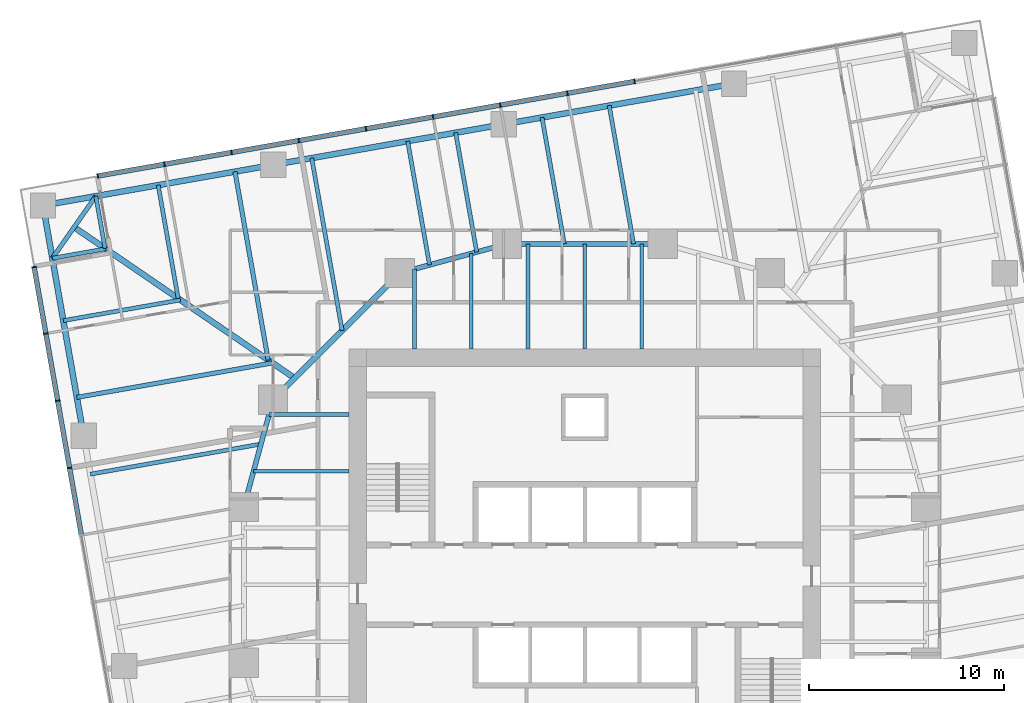
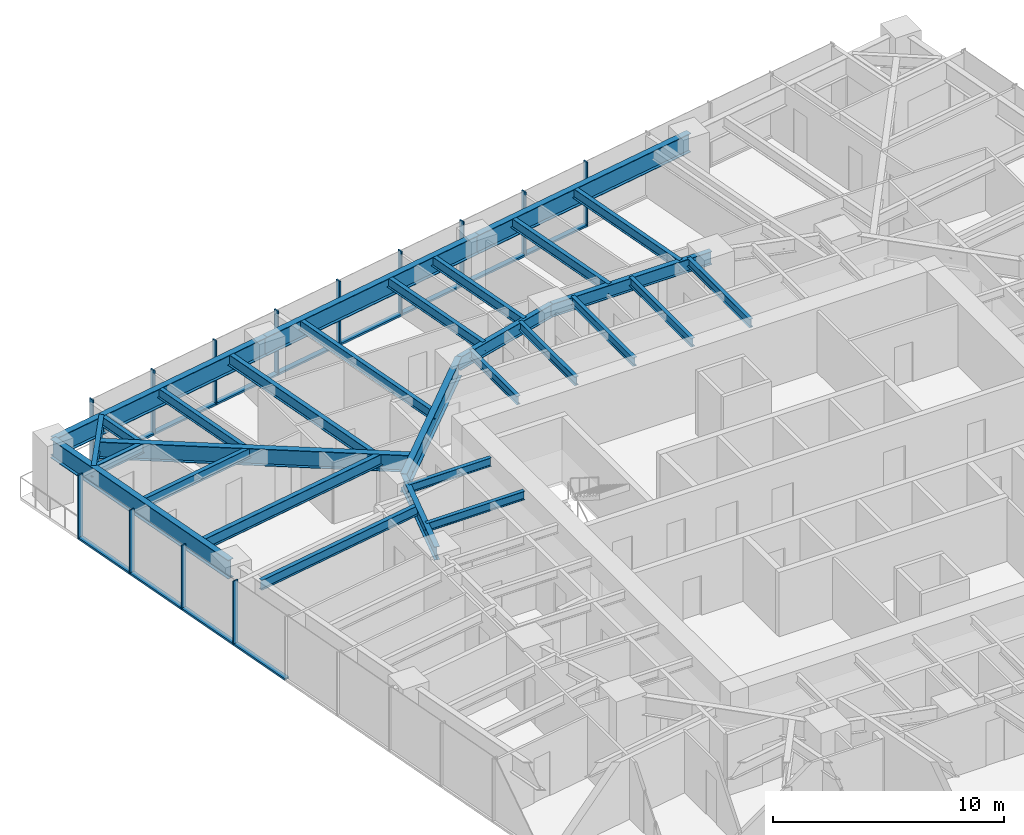
# One storey, part 5 of 14: 29 beams, 25 members, 2 elements without a shape of their own.
"""IFC4 building model written with IfcOpenShell, lengths in metres."""

from ifc_helpers import new_model, si_unit, direction, frame, origin, origin_2d, place, context, subcontext, project, spatial, rectangle, i_section, extrude, material, material_profile, profile_set, type_object, element, aggregate, save


model = new_model("IFC4")

# Units and contexts
model_context = context("Model", 3, precision=1e-05, world=origin(), true_north=direction((0.0, 1.0)))
body_context = subcontext(model_context, "Body", "Model", "MODEL_VIEW")
ifc_project = project(units=[si_unit("LENGTHUNIT", "METRE"), si_unit("AREAUNIT", "SQUARE_METRE"), si_unit("VOLUMEUNIT", "CUBIC_METRE"), si_unit("PLANEANGLEUNIT", "RADIAN"), si_unit("MASSUNIT", "GRAM", prefix="KILO")], contexts=[model_context])

# Site, building, storey
site_placement = place(None, origin())
site = spatial("IfcSite", under=ifc_project, at=site_placement, CompositionType="ELEMENT")
building_placement = place(site_placement, origin())
building = spatial("IfcBuilding", under=site, at=building_placement, Name="Torsade Residences", CompositionType="ELEMENT")
storey_placement = place(building_placement, frame((0.0, 0.0, 99.800048828125)))
storey = spatial("IfcBuildingStorey", under=building, at=storey_placement, Name="L27", CompositionType="ELEMENT", Elevation=99.800048828125)

# Beams
ifc_material_1 = material(Name="Steel grade 300", Category="steel")
ifc_material_profile_1 = material_profile(ifc_material_1, i_section(OverallWidth=0.300048828125, OverallDepth=0.89990234375, WebThickness=0.011962890625, FlangeThickness=0.02490234375, at=origin_2d()), Name="900WB175")
ifc_profile_set_1 = profile_set([ifc_material_profile_1], Name="Steel grade 300")
beam_type_1 = type_object("IfcBeamType", Name="CORNER GIRDER 900WB175", PredefinedType="BEAM", material=ifc_profile_set_1)
beam_1_placement = place(storey_placement, frame((13.7900390625, 48.3525390625, 2.800048828125), z_axis=(0.825279313977, -0.564724759437, 0.0), x_axis=(0.564724759437, 0.825279313977, 0.0)))
element("IfcBeam", 1, at=beam_1_placement, inside=storey, type_object=beam_type_1, Name="Corner girder 13 L28", PredefinedType="BEAM", context=body_context, shape_type="SweptSolid", body=[
    extrude(i_section(OverallWidth=0.300048828125, OverallDepth=0.89990234375, WebThickness=0.011962890625, FlangeThickness=0.02490234375, at=origin_2d()), origin(), (0.0, 0.0, 1.0), 13.7138671875),
])
ifc_material_2 = material(Name="Steel grade 300", Category="steel")
ifc_material_profile_2 = material_profile(ifc_material_2, i_section(OverallWidth=0.22802734375, OverallDepth=0.60205078125, WebThickness=0.010498046875, FlangeThickness=0.014892578125, FilletRadius=0.013916015625, at=origin_2d()), Name="610UB101")
ifc_profile_set_2 = profile_set([ifc_material_profile_2], Name="Steel grade 300")
beam_type_2 = type_object("IfcBeamType", Name="CORNER TRIMMER 610UB101", PredefinedType="BEAM", material=ifc_profile_set_2)
beam_2_placement = place(storey_placement, frame((12.674560546875, 46.759521484375, 2.948974609375), z_axis=(0.573576092373, 0.819152285145, 0.0), x_axis=(-0.819152285145, 0.573576092373, 0.0)))
element("IfcBeam", 2, at=beam_2_placement, inside=storey, type_object=beam_type_2, Name="Corner trimmer 13 L28", PredefinedType="BEAM", context=body_context, shape_type="SweptSolid", body=[
    extrude(i_section(OverallWidth=0.22802734375, OverallDepth=0.60205078125, WebThickness=0.010498046875, FlangeThickness=0.014892578125, FilletRadius=0.013916015625, at=origin_2d()), origin(), (0.0, 0.0, 1.0), 3.88916015625),
])

# Curtain wall, members
ifc_material_3 = material(Name="Aluminium and glass", Category="aluminium")
curtain_wall_type = type_object("IfcCurtainWallType", Name="FRITTED GLASS CURTAIN WALL LOW ZONE", PredefinedType="NOTDEFINED", material=ifc_material_3)
curtain_wall_1_placement = place(storey_placement, origin())
curtain_wall_1 = element("IfcCurtainWall", 3, at=curtain_wall_1_placement, inside=storey, type_object=curtain_wall_type, Name="Curtain wall L27 face 7", PredefinedType="NOTDEFINED")
ifc_material_4 = material(Name="Aluminium mullion", Category="aluminium")
ifc_material_profile_3 = material_profile(ifc_material_4, rectangle(XDim=0.25, YDim=0.06494140625, at=origin_2d()), Name="CURTAIN WALL MULLION 250x65")
ifc_profile_set_3 = profile_set([ifc_material_profile_3], Name="Aluminium mullion")
member_type_1 = type_object("IfcMemberType", Name="CURTAIN WALL MULLION 250x65", PredefinedType="MULLION", material=ifc_profile_set_3)
member_1_placement = place(storey_placement, frame((42.552490234375, 55.835693359375, 0.0), z_axis=(0.0, 0.0, 1.0), x_axis=(0.173648192638, -0.984807750372, 0.0)))
member_1 = element("IfcMember", 4, at=member_1_placement, type_object=member_type_1, Name="Mullion 5", PredefinedType="MULLION", context=body_context, shape_type="SweptSolid", body=[
    extrude(rectangle(XDim=0.25, YDim=0.06494140625, at=origin_2d()), origin(), (0.0, 0.0, 1.0), 3.39990234375),
])
member_2_placement = place(storey_placement, frame((39.105712890625, 55.22802734375, 0.0), z_axis=(0.0, 0.0, 1.0), x_axis=(0.173648192638, -0.984807750372, 0.0)))
member_2 = element("IfcMember", 5, at=member_2_placement, type_object=member_type_1, Name="Mullion 6", PredefinedType="MULLION", context=body_context, shape_type="SweptSolid", body=[
    extrude(rectangle(XDim=0.25, YDim=0.06494140625, at=origin_2d()), origin(), (0.0, 0.0, 1.0), 3.39990234375),
])
member_3_placement = place(storey_placement, frame((35.65869140625, 54.6201171875, 0.0), z_axis=(0.0, 0.0, 1.0), x_axis=(0.173648192638, -0.984807750372, 0.0)))
member_3 = element("IfcMember", 6, at=member_3_placement, type_object=member_type_1, Name="Mullion 7", PredefinedType="MULLION", context=body_context, shape_type="SweptSolid", body=[
    extrude(rectangle(XDim=0.25, YDim=0.06494140625, at=origin_2d()), origin(), (0.0, 0.0, 1.0), 3.39990234375),
])
member_4_placement = place(storey_placement, frame((32.2119140625, 54.012451171875, 0.0), z_axis=(0.0, 0.0, 1.0), x_axis=(0.173648192638, -0.984807750372, 0.0)))
member_4 = element("IfcMember", 7, at=member_4_placement, type_object=member_type_1, Name="Mullion 8", PredefinedType="MULLION", context=body_context, shape_type="SweptSolid", body=[
    extrude(rectangle(XDim=0.25, YDim=0.06494140625, at=origin_2d()), origin(), (0.0, 0.0, 1.0), 3.39990234375),
])
member_5_placement = place(storey_placement, frame((28.76513671875, 53.404541015625, 0.0), z_axis=(0.0, 0.0, 1.0), x_axis=(0.173648192638, -0.984807750372, 0.0)))
member_5 = element("IfcMember", 8, at=member_5_placement, type_object=member_type_1, Name="Mullion 9", PredefinedType="MULLION", context=body_context, shape_type="SweptSolid", body=[
    extrude(rectangle(XDim=0.25, YDim=0.06494140625, at=origin_2d()), origin(), (0.0, 0.0, 1.0), 3.39990234375),
])
member_6_placement = place(storey_placement, frame((25.318359375, 52.796875, 0.0), z_axis=(0.0, 0.0, 1.0), x_axis=(0.173648192638, -0.984807750372, 0.0)))
member_6 = element("IfcMember", 9, at=member_6_placement, type_object=member_type_1, Name="Mullion 10", PredefinedType="MULLION", context=body_context, shape_type="SweptSolid", body=[
    extrude(rectangle(XDim=0.25, YDim=0.06494140625, at=origin_2d()), origin(), (0.0, 0.0, 1.0), 3.39990234375),
])
member_7_placement = place(storey_placement, frame((21.87158203125, 52.189208984375, 0.0), z_axis=(0.0, 0.0, 1.0), x_axis=(0.173648192638, -0.984807750372, 0.0)))
member_7 = element("IfcMember", 10, at=member_7_placement, type_object=member_type_1, Name="Mullion 11", PredefinedType="MULLION", context=body_context, shape_type="SweptSolid", body=[
    extrude(rectangle(XDim=0.25, YDim=0.06494140625, at=origin_2d()), origin(), (0.0, 0.0, 1.0), 3.39990234375),
])
member_8_placement = place(storey_placement, frame((18.424560546875, 51.581298828125, 0.0), z_axis=(0.0, 0.0, 1.0), x_axis=(0.173648192638, -0.984807750372, 0.0)))
member_8 = element("IfcMember", 11, at=member_8_placement, type_object=member_type_1, Name="Mullion 12", PredefinedType="MULLION", context=body_context, shape_type="SweptSolid", body=[
    extrude(rectangle(XDim=0.25, YDim=0.06494140625, at=origin_2d()), origin(), (0.0, 0.0, 1.0), 3.39990234375),
])
member_9_placement = place(storey_placement, frame((15.009765625, 50.979248046875, 0.0), z_axis=(0.0, 0.0, 1.0), x_axis=(0.173648192638, -0.984807750372, 0.0)))
member_9 = element("IfcMember", 12, at=member_9_placement, type_object=member_type_1, Name="Mullion 13", PredefinedType="MULLION", context=body_context, shape_type="SweptSolid", body=[
    extrude(rectangle(XDim=0.25, YDim=0.06494140625, at=origin_2d()), origin(), (0.0, 0.0, 1.0), 3.39990234375),
])

curtain_wall_2_placement = place(storey_placement, origin())
curtain_wall_2 = element("IfcCurtainWall", 13, at=curtain_wall_2_placement, inside=storey, type_object=curtain_wall_type, Name="Curtain wall L27 face 10", PredefinedType="NOTDEFINED")
member_10_placement = place(storey_placement, frame((11.73876953125, 46.307861328125, 0.0), z_axis=(0.0, 0.0, 1.0), x_axis=(0.984807750372, 0.173648192638, 0.0)))
member_10 = element("IfcMember", 14, at=member_10_placement, type_object=member_type_1, Name="Mullion 1", PredefinedType="MULLION", context=body_context, shape_type="SweptSolid", body=[
    extrude(rectangle(XDim=0.25, YDim=0.06494140625, at=origin_2d()), origin(), (0.0, 0.0, 1.0), 3.39990234375),
])
member_11_placement = place(storey_placement, frame((12.341064453125, 42.892822265625, 0.0), z_axis=(0.0, 0.0, 1.0), x_axis=(0.984807750372, 0.173648192638, 0.0)))
member_11 = element("IfcMember", 15, at=member_11_placement, type_object=member_type_1, Name="Mullion 2", PredefinedType="MULLION", context=body_context, shape_type="SweptSolid", body=[
    extrude(rectangle(XDim=0.25, YDim=0.06494140625, at=origin_2d()), origin(), (0.0, 0.0, 1.0), 3.39990234375),
])
member_12_placement = place(storey_placement, frame((12.94873046875, 39.446044921875, 0.0), z_axis=(0.0, 0.0, 1.0), x_axis=(0.984807750372, 0.173648192638, 0.0)))
member_12 = element("IfcMember", 16, at=member_12_placement, type_object=member_type_1, Name="Mullion 3", PredefinedType="MULLION", context=body_context, shape_type="SweptSolid", body=[
    extrude(rectangle(XDim=0.25, YDim=0.06494140625, at=origin_2d()), origin(), (0.0, 0.0, 1.0), 3.39990234375),
])
member_13_placement = place(storey_placement, frame((13.556396484375, 35.999267578125, 0.0), z_axis=(0.0, 0.0, 1.0), x_axis=(0.984807750372, 0.173648192638, 0.0)))
member_13 = element("IfcMember", 17, at=member_13_placement, type_object=member_type_1, Name="Mullion 4", PredefinedType="MULLION", context=body_context, shape_type="SweptSolid", body=[
    extrude(rectangle(XDim=0.25, YDim=0.06494140625, at=origin_2d()), origin(), (0.0, 0.0, 1.0), 3.39990234375),
])

# Member
ifc_material_5 = material(Name="Aluminium transom", Category="aluminium")
ifc_material_profile_4 = material_profile(ifc_material_5, rectangle(XDim=0.25, YDim=0.10009765625, at=origin_2d()), Name="CURTAIN WALL TRANSOM 250x100")
ifc_profile_set_4 = profile_set([ifc_material_profile_4], Name="Aluminium transom")
member_type_2 = type_object("IfcMemberType", Name="CURTAIN WALL TRANSOM 250x100", PredefinedType="USERDEFINED", material=ifc_profile_set_4)
member_14_placement = place(storey_placement, frame((42.5205078125, 55.830078125, 0.050048828125), z_axis=(-0.984810021497, -0.17363531196, 0.0), x_axis=(0.17363531196, -0.984810021497, 0.0)))
member_14 = element("IfcMember", 18, at=member_14_placement, type_object=member_type_2, Name="Transom 5.1", ObjectType="TRANSOM", PredefinedType="USERDEFINED", context=body_context, shape_type="SweptSolid", body=[
    extrude(rectangle(XDim=0.25, YDim=0.10009765625, at=origin_2d()), origin(), (0.0, 0.0, 1.0), 3.43505859375),
])

member_15_placement = place(storey_placement, frame((39.07373046875, 55.222412109375, 0.050048828125), z_axis=(-0.98479786563, -0.173704242465, 0.0), x_axis=(0.173704242465, -0.98479786563, 0.0)))
member_15 = element("IfcMember", 19, at=member_15_placement, type_object=member_type_2, Name="Transom 6.1", ObjectType="TRANSOM", PredefinedType="USERDEFINED", context=body_context, shape_type="SweptSolid", body=[
    extrude(rectangle(XDim=0.25, YDim=0.10009765625, at=origin_2d()), origin(), (0.0, 0.0, 1.0), 3.43505859375),
])

member_16_placement = place(storey_placement, frame((35.626708984375, 54.614501953125, 0.050048828125), z_axis=(-0.984810021497, -0.17363531196, 0.0), x_axis=(0.17363531196, -0.984810021497, 0.0)))
member_16 = element("IfcMember", 20, at=member_16_placement, type_object=member_type_2, Name="Transom 7.1", ObjectType="TRANSOM", PredefinedType="USERDEFINED", context=body_context, shape_type="SweptSolid", body=[
    extrude(rectangle(XDim=0.25, YDim=0.10009765625, at=origin_2d()), origin(), (0.0, 0.0, 1.0), 3.43505859375),
])

member_17_placement = place(storey_placement, frame((32.179931640625, 54.0068359375, 0.050048828125), z_axis=(-0.984810021497, -0.17363531196, 0.0), x_axis=(0.17363531196, -0.984810021497, 0.0)))
member_17 = element("IfcMember", 21, at=member_17_placement, type_object=member_type_2, Name="Transom 8.1", ObjectType="TRANSOM", PredefinedType="USERDEFINED", context=body_context, shape_type="SweptSolid", body=[
    extrude(rectangle(XDim=0.25, YDim=0.10009765625, at=origin_2d()), origin(), (0.0, 0.0, 1.0), 3.43505859375),
])

member_18_placement = place(storey_placement, frame((28.733154296875, 53.39892578125, 0.050048828125), z_axis=(-0.984810021497, -0.17363531196, 0.0), x_axis=(0.17363531196, -0.984810021497, 0.0)))
member_18 = element("IfcMember", 22, at=member_18_placement, type_object=member_type_2, Name="Transom 9.1", ObjectType="TRANSOM", PredefinedType="USERDEFINED", context=body_context, shape_type="SweptSolid", body=[
    extrude(rectangle(XDim=0.25, YDim=0.10009765625, at=origin_2d()), origin(), (0.0, 0.0, 1.0), 3.43505859375),
])

member_19_placement = place(storey_placement, frame((25.286376953125, 52.791259765625, 0.050048828125), z_axis=(-0.984810021497, -0.17363531196, 0.0), x_axis=(0.17363531196, -0.984810021497, 0.0)))
member_19 = element("IfcMember", 23, at=member_19_placement, type_object=member_type_2, Name="Transom 10.1", ObjectType="TRANSOM", PredefinedType="USERDEFINED", context=body_context, shape_type="SweptSolid", body=[
    extrude(rectangle(XDim=0.25, YDim=0.10009765625, at=origin_2d()), origin(), (0.0, 0.0, 1.0), 3.43505859375),
])

member_20_placement = place(storey_placement, frame((21.839599609375, 52.18359375, 0.050048828125), z_axis=(-0.98479786563, -0.173704242465, 0.0), x_axis=(0.173704242465, -0.98479786563, 0.0)))
member_20 = element("IfcMember", 24, at=member_20_placement, type_object=member_type_2, Name="Transom 11.1", ObjectType="TRANSOM", PredefinedType="USERDEFINED", context=body_context, shape_type="SweptSolid", body=[
    extrude(rectangle(XDim=0.25, YDim=0.10009765625, at=origin_2d()), origin(), (0.0, 0.0, 1.0), 3.43505859375),
])

member_21_placement = place(storey_placement, frame((18.392578125, 51.57568359375, 0.050048828125), z_axis=(-0.984808830466, -0.173642067011, 0.0), x_axis=(0.173642067011, -0.984808830466, 0.0)))
member_21 = element("IfcMember", 25, at=member_21_placement, type_object=member_type_2, Name="Transom 12.1", ObjectType="TRANSOM", PredefinedType="USERDEFINED", context=body_context, shape_type="SweptSolid", body=[
    extrude(rectangle(XDim=0.25, YDim=0.10009765625, at=origin_2d()), origin(), (0.0, 0.0, 1.0), 3.402587890625),
])

aggregate(curtain_wall_1, [member_1, member_2, member_3, member_4, member_5, member_6, member_7, member_8, member_9, member_14, member_15, member_16, member_17, member_18, member_19, member_20, member_21])

member_22_placement = place(storey_placement, frame((11.744384765625, 46.275634765625, 0.050048828125), z_axis=(0.173654337918, -0.984806666774, 0.0), x_axis=(0.984806666774, 0.173654337918, 0.0)))
member_22 = element("IfcMember", 26, at=member_22_placement, type_object=member_type_2, Name="Transom 1.1", ObjectType="TRANSOM", PredefinedType="USERDEFINED", context=body_context, shape_type="SweptSolid", body=[
    extrude(rectangle(XDim=0.25, YDim=0.10009765625, at=origin_2d()), origin(), (0.0, 0.0, 1.0), 3.40234375),
])

member_23_placement = place(storey_placement, frame((12.3466796875, 42.86083984375, 0.050048828125), z_axis=(0.17363531196, -0.984810021497, 0.0), x_axis=(0.984810021497, 0.17363531196, 0.0)))
member_23 = element("IfcMember", 27, at=member_23_placement, type_object=member_type_2, Name="Transom 2.1", ObjectType="TRANSOM", PredefinedType="USERDEFINED", context=body_context, shape_type="SweptSolid", body=[
    extrude(rectangle(XDim=0.25, YDim=0.10009765625, at=origin_2d()), origin(), (0.0, 0.0, 1.0), 3.43505859375),
])

member_24_placement = place(storey_placement, frame((12.954345703125, 39.4140625, 0.050048828125), z_axis=(0.17363531196, -0.984810021497, 0.0), x_axis=(0.984810021497, 0.17363531196, 0.0)))
member_24 = element("IfcMember", 28, at=member_24_placement, type_object=member_type_2, Name="Transom 3.1", ObjectType="TRANSOM", PredefinedType="USERDEFINED", context=body_context, shape_type="SweptSolid", body=[
    extrude(rectangle(XDim=0.25, YDim=0.10009765625, at=origin_2d()), origin(), (0.0, 0.0, 1.0), 3.43505859375),
])

member_25_placement = place(storey_placement, frame((13.562255859375, 35.96728515625, 0.050048828125), z_axis=(0.17363531196, -0.984810021497, 0.0), x_axis=(0.984810021497, 0.17363531196, 0.0)))
member_25 = element("IfcMember", 29, at=member_25_placement, type_object=member_type_2, Name="Transom 4.1", ObjectType="TRANSOM", PredefinedType="USERDEFINED", context=body_context, shape_type="SweptSolid", body=[
    extrude(rectangle(XDim=0.25, YDim=0.10009765625, at=origin_2d()), origin(), (0.0, 0.0, 1.0), 3.43505859375),
])

aggregate(curtain_wall_2, [member_10, member_11, member_12, member_13, member_22, member_23, member_24, member_25])

# Beams
ifc_material_6 = material(Name="Steel grade 300", Category="steel")
ifc_material_profile_5 = material_profile(ifc_material_6, i_section(OverallWidth=0.300048828125, OverallDepth=1.0, WebThickness=0.01611328125, FlangeThickness=0.028076171875, at=origin_2d()), Name="1000WB215")
ifc_profile_set_5 = profile_set([ifc_material_profile_5], Name="Steel grade 300")
beam_type_3 = type_object("IfcBeamType", Name="EDGE BEAM 1000WB215", PredefinedType="SPANDREL", material=ifc_profile_set_5)
beam_3_placement = place(storey_placement, frame((47.650146484375, 55.71923828125, 2.75), z_axis=(-0.984808127031, -0.173646056486, 0.0), x_axis=(0.173646056486, -0.984808127031, 0.0)))
element("IfcBeam", 30, at=beam_3_placement, inside=storey, type_object=beam_type_3, Name="Edge beam 10 L28", PredefinedType="SPANDREL", context=body_context, shape_type="SweptSolid", body=[
    extrude(i_section(OverallWidth=0.300048828125, OverallDepth=1.0, WebThickness=0.01611328125, FlangeThickness=0.028076171875, at=origin_2d()), origin(), (0.0, 0.0, 1.0), 12.0),
])
beam_4_placement = place(storey_placement, frame((35.83251953125, 53.635498046875, 2.75), z_axis=(-0.984805261243, -0.173662308598, 0.0), x_axis=(0.173662308598, -0.984805261243, 0.0)))
element("IfcBeam", 31, at=beam_4_placement, inside=storey, type_object=beam_type_3, Name="Edge beam 11 L28", PredefinedType="SPANDREL", context=body_context, shape_type="SweptSolid", body=[
    extrude(i_section(OverallWidth=0.300048828125, OverallDepth=1.0, WebThickness=0.01611328125, FlangeThickness=0.028076171875, at=origin_2d()), origin(), (0.0, 0.0, 1.0), 12.000244140625),
])
for number, where, z_axis, x_axis, name in (
    (32, (24.0146484375, 51.551513671875, 2.75), (-0.984808127031, -0.173646056486, 0.0), (0.173646056486, -0.984808127031, 0.0), "Edge beam 12 L28"),
    (33, (12.197021484375, 49.4677734375, 2.75), (0.173646056486, -0.984808127031, 0.0), (0.984808127031, 0.173646056486, 0.0), "Edge beam 13 L28"),
):
    element("IfcBeam", number, at=place(storey_placement, frame(where, z_axis=z_axis, x_axis=x_axis)), inside=storey, type_object=beam_type_3, Name=name, PredefinedType="SPANDREL", context=body_context, shape_type="SweptSolid", body=[
        extrude(i_section(OverallWidth=0.300048828125, OverallDepth=1.0, WebThickness=0.01611328125, FlangeThickness=0.028076171875, at=origin_2d()), origin(), (0.0, 0.0, 1.0), 12.0),
    ])
ifc_material_7 = material(Name="Steel grade 300", Category="steel")
ifc_material_profile_6 = material_profile(ifc_material_7, i_section(OverallWidth=0.18994140625, OverallDepth=0.4541015625, WebThickness=0.008544921875, FlangeThickness=0.0126953125, FilletRadius=0.011474609375, at=origin_2d()), Name="460UB67.1")
ifc_profile_set_6 = profile_set([ifc_material_profile_6], Name="Steel grade 300")
beam_type_4 = type_object("IfcBeamType", Name="INNER FLOOR BEAM 460UB67.1", PredefinedType="JOIST", material=ifc_profile_set_6)
beam_5_placement = place(storey_placement, frame((31.262451171875, 42.10009765625, 3.02294921875), z_axis=(0.0, 1.0, 0.0), x_axis=(-1.0, 0.0, 0.0)))
element("IfcBeam", 34, at=beam_5_placement, inside=storey, type_object=beam_type_4, Name="Inner floor beam IN01 L28", PredefinedType="JOIST", context=body_context, shape_type="SweptSolid", body=[
    extrude(i_section(OverallWidth=0.18994140625, OverallDepth=0.4541015625, WebThickness=0.008544921875, FlangeThickness=0.0126953125, FilletRadius=0.011474609375, at=origin_2d()), origin(), (0.0, 0.0, 1.0), 4.10791015625),
])
beam_6_placement = place(storey_placement, frame((34.175048828125, 42.10009765625, 3.02294921875), z_axis=(0.0, 1.0, 0.0), x_axis=(-1.0, 0.0, 0.0)))
element("IfcBeam", 35, at=beam_6_placement, inside=storey, type_object=beam_type_4, Name="Inner floor beam IN02 L28", PredefinedType="JOIST", context=body_context, shape_type="SweptSolid", body=[
    extrude(i_section(OverallWidth=0.18994140625, OverallDepth=0.4541015625, WebThickness=0.008544921875, FlangeThickness=0.0126953125, FilletRadius=0.011474609375, at=origin_2d()), origin(), (0.0, 0.0, 1.0), 4.902099609375),
])
for number, where, z_axis, x_axis, name in (
    (36, (37.08740234375, 42.10009765625, 3.02294921875), (0.0, 1.0, 0.0), (-1.0, 0.0, 0.0), "Inner floor beam IN03 L28"),
    (37, (40.0, 42.10009765625, 3.02294921875), (0.0, 1.0, 0.0), (-1.0, 0.0, 0.0), "Inner floor beam IN04 L28"),
    (38, (42.91259765625, 42.10009765625, 3.02294921875), (0.0, 1.0, 0.0), (-1.0, 0.0, 0.0), "Inner floor beam IN05 L28"),
):
    element("IfcBeam", number, at=place(storey_placement, frame(where, z_axis=z_axis, x_axis=x_axis)), inside=storey, type_object=beam_type_4, Name=name, PredefinedType="JOIST", context=body_context, shape_type="SweptSolid", body=[
        extrude(i_section(OverallWidth=0.18994140625, OverallDepth=0.4541015625, WebThickness=0.008544921875, FlangeThickness=0.0126953125, FilletRadius=0.011474609375, at=origin_2d()), origin(), (0.0, 0.0, 1.0), 5.39990234375),
    ])
beam_7_placement = place(storey_placement, frame((27.89990234375, 38.737548828125, 3.02294921875), z_axis=(-1.0, 0.0, 0.0), x_axis=(0.0, -1.0, 0.0)))
element("IfcBeam", 39, at=beam_7_placement, inside=storey, type_object=beam_type_4, Name="Inner floor beam IW01 L28", PredefinedType="JOIST", context=body_context, shape_type="SweptSolid", body=[
    extrude(i_section(OverallWidth=0.18994140625, OverallDepth=0.4541015625, WebThickness=0.008544921875, FlangeThickness=0.0126953125, FilletRadius=0.011474609375, at=origin_2d()), origin(), (0.0, 0.0, 1.0), 4.10791015625),
])
beam_8_placement = place(storey_placement, frame((27.89990234375, 35.824951171875, 3.02294921875), z_axis=(-1.0, 0.0, 0.0), x_axis=(0.0, -1.0, 0.0)))
element("IfcBeam", 40, at=beam_8_placement, inside=storey, type_object=beam_type_4, Name="Inner floor beam IW02 L28", PredefinedType="JOIST", context=body_context, shape_type="SweptSolid", body=[
    extrude(i_section(OverallWidth=0.18994140625, OverallDepth=0.4541015625, WebThickness=0.008544921875, FlangeThickness=0.0126953125, FilletRadius=0.011474609375, at=origin_2d()), origin(), (0.0, 0.0, 1.0), 4.902099609375),
])
ifc_material_8 = material(Name="Steel grade 300", Category="steel")
ifc_material_profile_7 = material_profile(ifc_material_8, i_section(OverallWidth=0.300048828125, OverallDepth=1.0, WebThickness=0.01611328125, FlangeThickness=0.028076171875, at=origin_2d()), Name="1000WB215")
ifc_profile_set_7 = profile_set([ifc_material_profile_7], Name="Steel grade 300")
beam_type_5 = type_object("IfcBeamType", Name="RING CORNER GIRDER 1000WB215", PredefinedType="BEAM", material=ifc_profile_set_7)
beam_9_placement = place(storey_placement, frame((30.5, 46.0, 2.75), z_axis=(-0.707106781187, -0.707106781187, 0.0), x_axis=(0.707106781187, -0.707106781187, 0.0)))
element("IfcBeam", 41, at=beam_9_placement, inside=storey, type_object=beam_type_5, Name="Ring girder IR07 L28", PredefinedType="BEAM", context=body_context, shape_type="SweptSolid", body=[
    extrude(i_section(OverallWidth=0.300048828125, OverallDepth=1.0, WebThickness=0.01611328125, FlangeThickness=0.028076171875, at=origin_2d()), origin(), (0.0, 0.0, 1.0), 9.1923828125),
])
ifc_material_9 = material(Name="Steel grade 300", Category="steel")
ifc_material_profile_8 = material_profile(ifc_material_9, i_section(OverallWidth=0.25, OverallDepth=0.699951171875, WebThickness=0.010009765625, FlangeThickness=0.02001953125, at=origin_2d()), Name="700WB130")
ifc_profile_set_8 = profile_set([ifc_material_profile_8], Name="Steel grade 300")
beam_type_6 = type_object("IfcBeamType", Name="RING GIRDER 700WB130", PredefinedType="BEAM", material=ifc_profile_set_8)
beam_10_placement = place(storey_placement, frame((44.0, 47.5, 2.89990234375), z_axis=(-1.0, 0.0, 0.0), x_axis=(0.0, -1.0, 0.0)))
element("IfcBeam", 42, at=beam_10_placement, inside=storey, type_object=beam_type_6, Name="Ring girder IR05 L28", PredefinedType="BEAM", context=body_context, shape_type="SweptSolid", body=[
    extrude(i_section(OverallWidth=0.25, OverallDepth=0.699951171875, WebThickness=0.010009765625, FlangeThickness=0.02001953125, at=origin_2d()), origin(), (0.0, 0.0, 1.0), 8.0),
])
for number, where, z_axis, x_axis, name in (
    (43, (36.0, 47.5, 2.89990234375), (-0.964763821238, -0.263117405792, 0.0), (0.263117405792, -0.964763821238, 0.0), "Ring girder IR06 L28"),
    (44, (24.0, 39.5, 2.89990234375), (-0.263117405792, -0.964763821238, 0.0), (0.964763821238, -0.263117405792, 0.0), "Ring girder IR08 L28"),
):
    element("IfcBeam", number, at=place(storey_placement, frame(where, z_axis=z_axis, x_axis=x_axis)), inside=storey, type_object=beam_type_6, Name=name, PredefinedType="BEAM", context=body_context, shape_type="SweptSolid", body=[
        extrude(i_section(OverallWidth=0.25, OverallDepth=0.699951171875, WebThickness=0.010009765625, FlangeThickness=0.02001953125, at=origin_2d()), origin(), (0.0, 0.0, 1.0), 5.700927734375),
    ])
ifc_material_10 = material(Name="Steel grade 300", Category="steel")
ifc_material_profile_9 = material_profile(ifc_material_10, i_section(OverallWidth=0.208984375, OverallDepth=0.528076171875, WebThickness=0.009521484375, FlangeThickness=0.01318359375, FilletRadius=0.013916015625, at=origin_2d()), Name="530UB82.0")
ifc_profile_set_9 = profile_set([ifc_material_profile_9], Name="Steel grade 300")
beam_type_7 = type_object("IfcBeamType", Name="SECONDARY BEAM 530UB82.0", PredefinedType="JOIST", material=ifc_profile_set_9)
beam_11_placement = place(storey_placement, frame((41.248779296875, 54.59033203125, 2.98583984375), z_axis=(0.173651855324, -0.984807104535, 0.0), x_axis=(0.984807104535, 0.173651855324, 0.0)))
element("IfcBeam", 45, at=beam_11_placement, inside=storey, type_object=beam_type_7, Name="Floor beam FN05 L28", PredefinedType="JOIST", context=body_context, shape_type="SweptSolid", body=[
    extrude(i_section(OverallWidth=0.208984375, OverallDepth=0.528076171875, WebThickness=0.009521484375, FlangeThickness=0.01318359375, FilletRadius=0.013916015625, at=origin_2d()), origin(), (0.0, 0.0, 1.0), 7.19970703125),
])
beam_12_placement = place(storey_placement, frame((37.802001953125, 53.982666015625, 2.98583984375), z_axis=(0.173647806501, -0.984807818459, 0.0), x_axis=(0.984807818459, 0.173647806501, 0.0)))
element("IfcBeam", 46, at=beam_12_placement, inside=storey, type_object=beam_type_7, Name="Floor beam FN06 L28", PredefinedType="JOIST", context=body_context, shape_type="SweptSolid", body=[
    extrude(i_section(OverallWidth=0.208984375, OverallDepth=0.528076171875, WebThickness=0.009521484375, FlangeThickness=0.01318359375, FilletRadius=0.013916015625, at=origin_2d()), origin(), (0.0, 0.0, 1.0), 6.582763671875),
])
beam_13_placement = place(storey_placement, frame((33.370361328125, 53.201171875, 2.98583984375), z_axis=(0.173655425542, -0.984806474989, 0.0), x_axis=(0.984806474989, 0.173655425542, 0.0)))
element("IfcBeam", 47, at=beam_13_placement, inside=storey, type_object=beam_type_7, Name="Floor beam FN07 L28", PredefinedType="JOIST", context=body_context, shape_type="SweptSolid", body=[
    extrude(i_section(OverallWidth=0.208984375, OverallDepth=0.528076171875, WebThickness=0.009521484375, FlangeThickness=0.01318359375, FilletRadius=0.013916015625, at=origin_2d()), origin(), (0.0, 0.0, 1.0), 6.21826171875),
])
beam_14_placement = place(storey_placement, frame((30.908447265625, 52.76708984375, 2.98583984375), z_axis=(0.17363198078, -0.984810608823, 0.0), x_axis=(0.984810608823, 0.17363198078, 0.0)))
element("IfcBeam", 48, at=beam_14_placement, inside=storey, type_object=beam_type_7, Name="Floor beam FN08 L28", PredefinedType="JOIST", context=body_context, shape_type="SweptSolid", body=[
    extrude(i_section(OverallWidth=0.208984375, OverallDepth=0.528076171875, WebThickness=0.009521484375, FlangeThickness=0.01318359375, FilletRadius=0.013916015625, at=origin_2d()), origin(), (0.0, 0.0, 1.0), 6.4482421875),
])
beam_15_placement = place(storey_placement, frame((25.984375, 51.89892578125, 2.98583984375), z_axis=(0.173639706679, -0.984809246638, 0.0), x_axis=(0.984809246638, 0.173639706679, 0.0)))
element("IfcBeam", 49, at=beam_15_placement, inside=storey, type_object=beam_type_7, Name="Floor beam FN09 L28", PredefinedType="JOIST", context=body_context, shape_type="SweptSolid", body=[
    extrude(i_section(OverallWidth=0.208984375, OverallDepth=0.528076171875, WebThickness=0.009521484375, FlangeThickness=0.01318359375, FilletRadius=0.013916015625, at=origin_2d()), origin(), (0.0, 0.0, 1.0), 8.989990234375),
])
beam_16_placement = place(storey_placement, frame((18.10595703125, 50.509765625, 2.98583984375), z_axis=(0.173629569808, -0.984811033899, 0.0), x_axis=(0.984811033899, 0.173629569808, 0.0)))
element("IfcBeam", 50, at=beam_16_placement, inside=storey, type_object=beam_type_7, Name="Floor beam FN11 L28", PredefinedType="JOIST", context=body_context, shape_type="SweptSolid", body=[
    extrude(i_section(OverallWidth=0.208984375, OverallDepth=0.528076171875, WebThickness=0.009521484375, FlangeThickness=0.01318359375, FilletRadius=0.013916015625, at=origin_2d()), origin(), (0.0, 0.0, 1.0), 5.9013671875),
])
beam_17_placement = place(storey_placement, frame((14.9052734375, 49.9453125, 2.98583984375), z_axis=(0.17364710834, -0.984807941563, 0.0), x_axis=(0.984807941563, 0.17364710834, 0.0)))
element("IfcBeam", 51, at=beam_17_placement, inside=storey, type_object=beam_type_7, Name="Floor beam FN12 L28", PredefinedType="JOIST", context=body_context, shape_type="SweptSolid", body=[
    extrude(i_section(OverallWidth=0.208984375, OverallDepth=0.528076171875, WebThickness=0.009521484375, FlangeThickness=0.01318359375, FilletRadius=0.013916015625, at=origin_2d()), origin(), (0.0, 0.0, 1.0), 2.720458984375),
])
beam_18_placement = place(storey_placement, frame((12.674560546875, 46.759521484375, 2.98583984375), z_axis=(0.984797700832, 0.173705176765, 0.0), x_axis=(-0.173705176765, 0.984797700832, 0.0)))
element("IfcBeam", 52, at=beam_18_placement, inside=storey, type_object=beam_type_7, Name="Floor beam FW01 L28", PredefinedType="JOIST", context=body_context, shape_type="SweptSolid", body=[
    extrude(i_section(OverallWidth=0.208984375, OverallDepth=0.528076171875, WebThickness=0.009521484375, FlangeThickness=0.01318359375, FilletRadius=0.013916015625, at=origin_2d()), origin(), (0.0, 0.0, 1.0), 2.780029296875),
])
beam_19_placement = place(storey_placement, frame((13.239013671875, 43.55908203125, 2.98583984375), z_axis=(0.984809331556, 0.173639225065, 0.0), x_axis=(-0.173639225065, 0.984809331556, 0.0)))
element("IfcBeam", 53, at=beam_19_placement, inside=storey, type_object=beam_type_7, Name="Floor beam FW02 L28", PredefinedType="JOIST", context=body_context, shape_type="SweptSolid", body=[
    extrude(i_section(OverallWidth=0.208984375, OverallDepth=0.528076171875, WebThickness=0.009521484375, FlangeThickness=0.01318359375, FilletRadius=0.013916015625, at=origin_2d()), origin(), (0.0, 0.0, 1.0), 6.100830078125),
])
beam_20_placement = place(storey_placement, frame((14.628173828125, 35.680419921875, 2.98583984375), z_axis=(0.984804296147, 0.173667781384, 0.0), x_axis=(-0.173667781384, 0.984804296147, 0.0)))
element("IfcBeam", 54, at=beam_20_placement, inside=storey, type_object=beam_type_7, Name="Floor beam FW04 L28", PredefinedType="JOIST", context=body_context, shape_type="SweptSolid", body=[
    extrude(i_section(OverallWidth=0.208984375, OverallDepth=0.528076171875, WebThickness=0.009521484375, FlangeThickness=0.01318359375, FilletRadius=0.013916015625, at=origin_2d()), origin(), (0.0, 0.0, 1.0), 8.885986328125),
])
ifc_material_11 = material(Name="Steel grade 300", Category="steel")
ifc_material_profile_10 = material_profile(ifc_material_11, i_section(OverallWidth=0.22900390625, OverallDepth=0.612060546875, WebThickness=0.011962890625, FlangeThickness=0.01953125, FilletRadius=0.013916015625, at=origin_2d()), Name="610UB125")
ifc_profile_set_10 = profile_set([ifc_material_profile_10], Name="Steel grade 300")
beam_type_8 = type_object("IfcBeamType", Name="SECONDARY BEAM 610UB125", PredefinedType="JOIST", material=ifc_profile_set_10)
beam_21_placement = place(storey_placement, frame((22.045166015625, 51.204345703125, 2.94384765625), z_axis=(0.173651961637, -0.984807085789, 0.0), x_axis=(0.984807085789, 0.173651961637, 0.0)))
element("IfcBeam", 55, at=beam_21_placement, inside=storey, type_object=beam_type_8, Name="Floor beam FN10 L28", PredefinedType="JOIST", context=body_context, shape_type="SweptSolid", body=[
    extrude(i_section(OverallWidth=0.22900390625, OverallDepth=0.612060546875, WebThickness=0.011962890625, FlangeThickness=0.01953125, FilletRadius=0.013916015625, at=origin_2d()), origin(), (0.0, 0.0, 1.0), 9.816162109375),
])
beam_22_placement = place(storey_placement, frame((13.93359375, 39.619873046875, 2.94384765625), z_axis=(0.984808397525, 0.173644522411, 0.0), x_axis=(-0.173644522411, 0.984808397525, 0.0)))
element("IfcBeam", 56, at=beam_22_placement, inside=storey, type_object=beam_type_8, Name="Floor beam FW03 L28", PredefinedType="JOIST", context=body_context, shape_type="SweptSolid", body=[
    extrude(i_section(OverallWidth=0.22900390625, OverallDepth=0.612060546875, WebThickness=0.011962890625, FlangeThickness=0.01953125, FilletRadius=0.013916015625, at=origin_2d()), origin(), (0.0, 0.0, 1.0), 10.187744140625),
])

save(model, "model.ifc")
